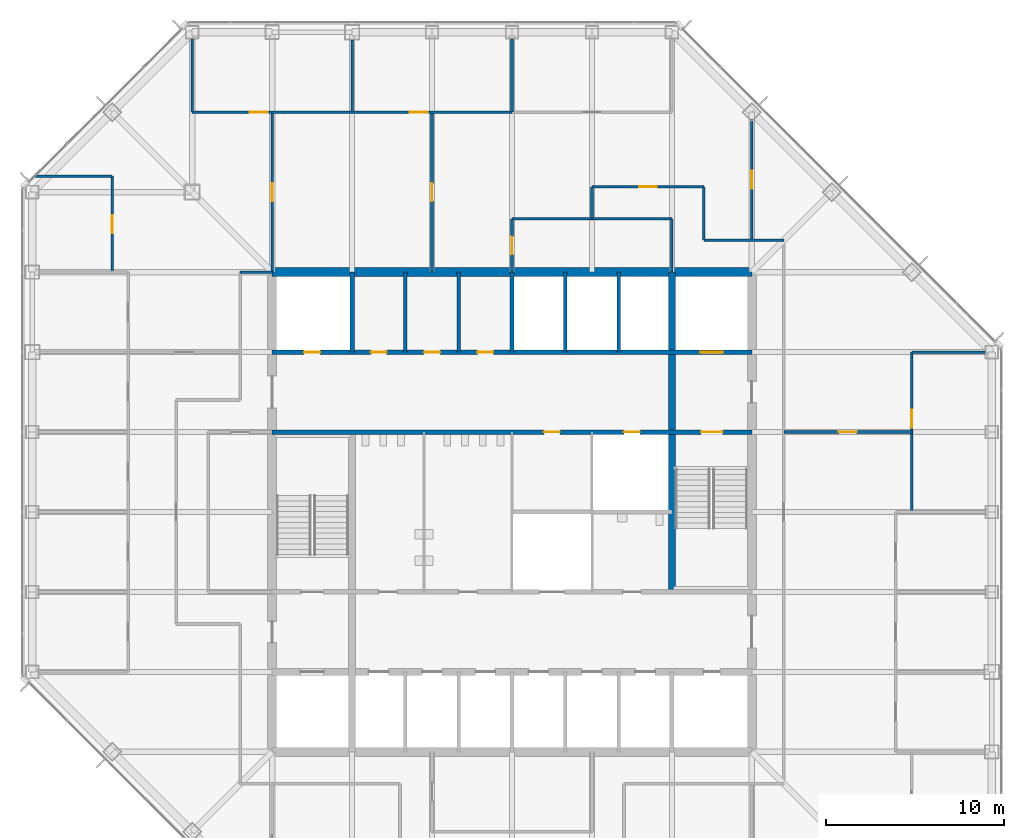
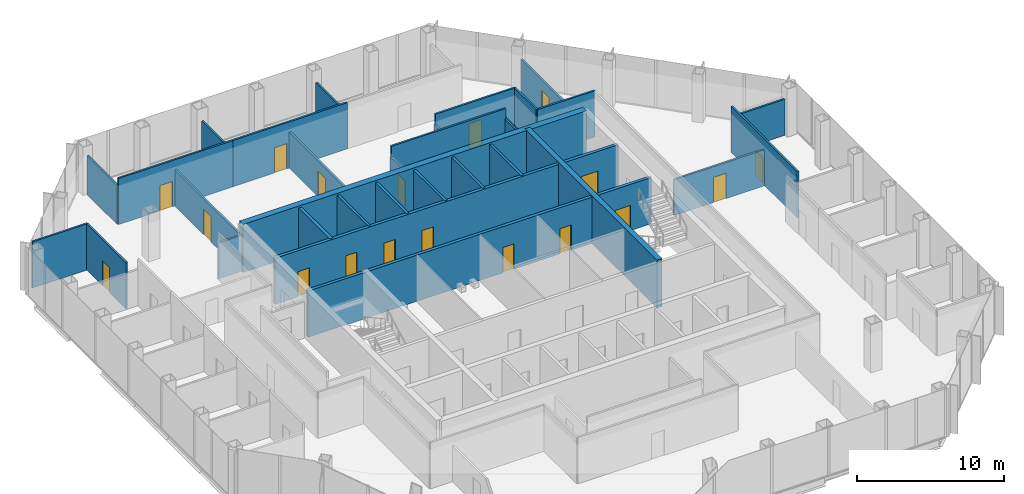
# One storey, part 10 of 13: 31 walls, 18 doors, 18 openings.
"""IFC4 building model written with IfcOpenShell, lengths in metres."""

from ifc_helpers import new_model, si_unit, direction, frame, frame_2d, origin, place, context, subcontext, project, spatial, rectangle, extrude, material, layer, layer_set, type_object, element, fill, save


model = new_model("IFC4")

# Units and contexts
model_context = context("Model", 3, precision=1e-05, world=origin(), true_north=direction((0.0, 1.0)))
body_context = subcontext(model_context, "Body", "Model", "MODEL_VIEW")
ifc_project = project(units=[si_unit("LENGTHUNIT", "METRE"), si_unit("AREAUNIT", "SQUARE_METRE"), si_unit("VOLUMEUNIT", "CUBIC_METRE"), si_unit("PLANEANGLEUNIT", "RADIAN"), si_unit("MASSUNIT", "GRAM", prefix="KILO")], contexts=[model_context])

# Site, building, storey
site_placement = place(None, origin())
site = spatial("IfcSite", under=ifc_project, at=site_placement, CompositionType="ELEMENT")
building_placement = place(site_placement, origin())
building = spatial("IfcBuilding", under=site, at=building_placement, Name="Corais Broadcast Tower", CompositionType="ELEMENT")
storey_placement = place(building_placement, frame((0.0, 0.0, 191.60009765625)))
storey = spatial("IfcBuildingStorey", under=building, at=storey_placement, Name="L44", CompositionType="ELEMENT", Elevation=191.60009765625)

# Wall
ifc_material_1 = material(Name="Concrete blockwork class A, grouted, two-hour", Category="masonry")
ifc_layer_1 = layer(ifc_material_1, 0.25)
ifc_layer_set_1 = layer_set([ifc_layer_1], Name="Concrete blockwork class A, grouted, two-hour")
wall_type_1 = type_object("IfcWallType", Name="Core lobby wall 250", PredefinedType="SOLIDWALL", material=ifc_layer_set_1)
wall_1_placement = place(storey_placement, frame((18.0, 36.0, 0.0), z_axis=(0.0, 0.0, 1.0), x_axis=(0.0, 1.0, 0.0)))
element("IfcWall", 1, at=wall_1_placement, inside=storey, type_object=wall_type_1, Name="CL2 core shaft wall X18B L44", PredefinedType="SOLIDWALL", context=body_context, shape_type="SweptSolid", body=[
    extrude(rectangle(XDim=4.5, YDim=0.25, at=frame_2d((2.25, 0.0))), origin(), (0.0, 0.0, 1.0), 3.83984375),
])

# Wall, openings, doors
wall_2_placement = place(storey_placement, frame((13.5, 31.5, 0.0), z_axis=(0.0, 0.0, 1.0), x_axis=(1.0, 0.0, 0.0)))
wall_2 = element("IfcWall", 2, at=wall_2_placement, inside=storey, type_object=wall_type_1, Name="CL2 core lobby wall Y315 L44", PredefinedType="SOLIDWALL", context=body_context, shape_type="SweptSolid", body=[
    extrude(rectangle(XDim=27.0, YDim=0.25, at=frame_2d((13.5, 0.0))), origin(), (0.0, 0.0, 1.0), 3.83984375),
])
opening_1_placement = place(wall_2_placement, frame((24.14990234375, 0.0, 0.0)))
opening_1 = element("IfcOpeningElement", 3, at=opening_1_placement, cuts=wall_2, Name="Opening FD1", PredefinedType="OPENING", context=body_context, shape_type="SweptSolid", body=[
    extrude(rectangle(XDim=1.199951171875, YDim=2.10009765625, at=frame_2d((0.60009765625, 1.050048828125))), frame((0.0, 0.135009765625, 0.0), z_axis=(0.0, -1.0, 0.0), x_axis=(1.0, 0.0, 0.0)), (0.0, 0.0, 1.0), 0.27001953125),
])
opening_2_placement = place(wall_2_placement, frame((15.300048828125, 0.0, 0.0)))
opening_2 = element("IfcOpeningElement", 4, at=opening_2_placement, cuts=wall_2, Name="Opening RD1", PredefinedType="OPENING", context=body_context, shape_type="SweptSolid", body=[
    extrude(rectangle(XDim=0.89990234375, YDim=2.10009765625, at=frame_2d((0.449951171875, 1.050048828125))), frame((0.0, 0.135009765625, 0.0), z_axis=(0.0, -1.0, 0.0), x_axis=(1.0, 0.0, 0.0)), (0.0, 0.0, 1.0), 0.27001953125),
])
opening_3_placement = place(wall_2_placement, frame((19.800048828125, 0.0, 0.0)))
opening_3 = element("IfcOpeningElement", 5, at=opening_3_placement, cuts=wall_2, Name="Opening RD1", PredefinedType="OPENING", context=body_context, shape_type="SweptSolid", body=[
    extrude(rectangle(XDim=0.89990234375, YDim=2.10009765625, at=frame_2d((0.449951171875, 1.050048828125))), frame((0.0, 0.135009765625, 0.0), z_axis=(0.0, -1.0, 0.0), x_axis=(1.0, 0.0, 0.0)), (0.0, 0.0, 1.0), 0.27001953125),
])
ifc_material_2 = material(Name="Steel fire door", Category="steel")
door_type_1 = type_object("IfcDoorType", Name="Fire door 1200x2100", OperationType="SINGLE_SWING_LEFT", PredefinedType="DOOR", material=ifc_material_2)
door_1_placement = place(opening_1_placement, origin())
door_1 = element("IfcDoor", 6, at=door_1_placement, inside=storey, type_object=door_type_1, Name="FD1 stair B door L44", OperationType="SINGLE_SWING_RIGHT", OverallHeight=2.10009765625, OverallWidth=1.199951171875, PredefinedType="DOOR", context=body_context, shape_type="SweptSolid", body=[
    extrude(rectangle(XDim=1.199951171875, YDim=2.10009765625, at=frame_2d((0.60009765625, 1.050048828125))), frame((0.0, 0.02490234375, 0.0), z_axis=(0.0, -1.0, 0.0), x_axis=(1.0, 0.0, 0.0)), (0.0, 0.0, 1.0), 0.050048828125),
])
fill(opening_1, door_1)
ifc_material_3 = material(Name="Steel fire door", Category="steel")
door_type_2 = type_object("IfcDoorType", Name="Riser door 900x2100", OperationType="SINGLE_SWING_LEFT", PredefinedType="DOOR", material=ifc_material_3)
door_2_placement = place(opening_2_placement, origin())
door_2 = element("IfcDoor", 7, at=door_2_placement, inside=storey, type_object=door_type_2, Name="RD1 vending room door L44", OperationType="SINGLE_SWING_RIGHT", OverallHeight=2.10009765625, OverallWidth=0.89990234375, PredefinedType="DOOR", context=body_context, shape_type="SweptSolid", body=[
    extrude(rectangle(XDim=0.89990234375, YDim=2.10009765625, at=frame_2d((0.449951171875, 1.050048828125))), frame((0.0, 0.02490234375, 0.0), z_axis=(0.0, -1.0, 0.0), x_axis=(1.0, 0.0, 0.0)), (0.0, 0.0, 1.0), 0.050048828125),
])
fill(opening_2, door_2)
door_3_placement = place(opening_3_placement, origin())
door_3 = element("IfcDoor", 8, at=door_3_placement, inside=storey, type_object=door_type_2, Name="RD1 riser door L44", OperationType="SINGLE_SWING_RIGHT", OverallHeight=2.10009765625, OverallWidth=0.89990234375, PredefinedType="DOOR", context=body_context, shape_type="SweptSolid", body=[
    extrude(rectangle(XDim=0.89990234375, YDim=2.10009765625, at=frame_2d((0.449951171875, 1.050048828125))), frame((0.0, 0.02490234375, 0.0), z_axis=(0.0, -1.0, 0.0), x_axis=(1.0, 0.0, 0.0)), (0.0, 0.0, 1.0), 0.050048828125),
])
fill(opening_3, door_3)

# Walls
ifc_material_4 = material(Name="Concrete C50/60", Category="concrete")
ifc_layer_2 = layer(ifc_material_4, 0.39990234375)
ifc_layer_set_2 = layer_set([ifc_layer_2], Name="Concrete C50/60")
wall_type_2 = type_object("IfcWallType", Name="Core wall 400", PredefinedType="SHEAR", material=ifc_layer_set_2)
wall_3_placement = place(storey_placement, frame((36.0, 22.5, 0.0), z_axis=(0.0, 0.0, 1.0), x_axis=(0.0, 1.0, 0.0)))
element("IfcWall", 9, at=wall_3_placement, inside=storey, type_object=wall_type_2, Name="CR400 core wall X36B L44", PredefinedType="SHEAR", context=body_context, shape_type="SweptSolid", body=[
    extrude(rectangle(XDim=18.0, YDim=0.39990234375, at=frame_2d((9.0, 0.0))), origin(), (0.0, 0.0, 1.0), 4.0),
])
ifc_material_5 = material(Name="Concrete C50/60", Category="concrete")
ifc_layer_3 = layer(ifc_material_5, 0.5)
ifc_layer_set_3 = layer_set([ifc_layer_3], Name="Concrete C50/60")
wall_type_3 = type_object("IfcWallType", Name="Core wall 500", PredefinedType="SHEAR", material=ifc_layer_set_3)
wall_4_placement = place(storey_placement, frame((40.5, 40.5, 0.0), z_axis=(0.0, 0.0, 1.0), x_axis=(-1.0, 0.0, 0.0)))
element("IfcWall", 10, at=wall_4_placement, inside=storey, type_object=wall_type_3, Name="CR500 core wall N L44", PredefinedType="SHEAR", context=body_context, shape_type="SweptSolid", body=[
    extrude(rectangle(XDim=27.0, YDim=0.5, at=frame_2d((13.5, 0.0))), origin(), (0.0, 0.0, 1.0), 4.0),
])

# Wall, openings, doors
ifc_material_6 = material(Name="Concrete blockwork class A, grouted, four-hour", Category="masonry")
ifc_layer_4 = layer(ifc_material_6, 0.25)
ifc_layer_set_4 = layer_set([ifc_layer_4], Name="Concrete blockwork class A, grouted, four-hour")
wall_type_4 = type_object("IfcWallType", Name="Emergency lift shaft wall 250", PredefinedType="SOLIDWALL", material=ifc_layer_set_4)
wall_5_placement = place(storey_placement, frame((13.5, 36.0, 0.0), z_axis=(0.0, 0.0, 1.0), x_axis=(1.0, 0.0, 0.0)))
wall_5 = element("IfcWall", 11, at=wall_5_placement, inside=storey, type_object=wall_type_4, Name="LS2 core lobby wall Y36 L44", PredefinedType="SOLIDWALL", context=body_context, shape_type="SweptSolid", body=[
    extrude(rectangle(XDim=27.0, YDim=0.25, at=frame_2d((13.5, 0.0))), origin(), (0.0, 0.0, 1.0), 3.83984375),
])
opening_4_placement = place(wall_5_placement, frame((1.800048828125, 0.0, 0.0)))
opening_4 = element("IfcOpeningElement", 12, at=opening_4_placement, cuts=wall_5, Name="Opening RD1", PredefinedType="OPENING", context=body_context, shape_type="SweptSolid", body=[
    extrude(rectangle(XDim=0.89990234375, YDim=2.10009765625, at=frame_2d((0.449951171875, 1.050048828125))), frame((0.0, 0.135009765625, 0.0), z_axis=(0.0, -1.0, 0.0), x_axis=(1.0, 0.0, 0.0)), (0.0, 0.0, 1.0), 0.27001953125),
])
opening_5_placement = place(wall_5_placement, frame((5.550048828125, 0.0, 0.0)))
opening_5 = element("IfcOpeningElement", 13, at=opening_5_placement, cuts=wall_5, Name="Opening RD1", PredefinedType="OPENING", context=body_context, shape_type="SweptSolid", body=[
    extrude(rectangle(XDim=0.89990234375, YDim=2.10009765625, at=frame_2d((0.449951171875, 1.050048828125))), frame((0.0, 0.135009765625, 0.0), z_axis=(0.0, -1.0, 0.0), x_axis=(1.0, 0.0, 0.0)), (0.0, 0.0, 1.0), 0.27001953125),
])
opening_6_placement = place(wall_5_placement, frame((8.550048828125, 0.0, 0.0)))
opening_6 = element("IfcOpeningElement", 14, at=opening_6_placement, cuts=wall_5, Name="Opening RD1", PredefinedType="OPENING", context=body_context, shape_type="SweptSolid", body=[
    extrude(rectangle(XDim=0.89990234375, YDim=2.10009765625, at=frame_2d((0.449951171875, 1.050048828125))), frame((0.0, 0.135009765625, 0.0), z_axis=(0.0, -1.0, 0.0), x_axis=(1.0, 0.0, 0.0)), (0.0, 0.0, 1.0), 0.27001953125),
])
opening_7_placement = place(wall_5_placement, frame((11.550048828125, 0.0, 0.0)))
opening_7 = element("IfcOpeningElement", 15, at=opening_7_placement, cuts=wall_5, Name="Opening RD1", PredefinedType="OPENING", context=body_context, shape_type="SweptSolid", body=[
    extrude(rectangle(XDim=0.89990234375, YDim=2.10009765625, at=frame_2d((0.449951171875, 1.050048828125))), frame((0.0, 0.135009765625, 0.0), z_axis=(0.0, -1.0, 0.0), x_axis=(1.0, 0.0, 0.0)), (0.0, 0.0, 1.0), 0.27001953125),
])
opening_8_placement = place(wall_5_placement, frame((24.10009765625, 0.0, 0.0)))
opening_8 = element("IfcOpeningElement", 16, at=opening_8_placement, cuts=wall_5, Name="Opening LD2", PredefinedType="OPENING", context=body_context, shape_type="SweptSolid", body=[
    extrude(rectangle(XDim=1.300048828125, YDim=2.199951171875, at=frame_2d((0.64990234375, 1.10009765625))), frame((0.0, 0.135009765625, 0.0), z_axis=(0.0, -1.0, 0.0), x_axis=(1.0, 0.0, 0.0)), (0.0, 0.0, 1.0), 0.27001953125),
])
ifc_material_7 = material(Name="Stainless steel lift door", Category="steel")
door_type_3 = type_object("IfcDoorType", Name="Lift landing door 1300x2200", OperationType="SLIDING_TO_LEFT", PredefinedType="DOOR", material=ifc_material_7)
door_4_placement = place(opening_8_placement, origin())
door_4 = element("IfcDoor", 17, at=door_4_placement, inside=storey, type_object=door_type_3, Name="LD2 FL2 landing door L44", OperationType="SLIDING_TO_LEFT", OverallHeight=2.199951171875, OverallWidth=1.300048828125, PredefinedType="DOOR", context=body_context, shape_type="SweptSolid", body=[
    extrude(rectangle(XDim=1.300048828125, YDim=2.199951171875, at=frame_2d((0.64990234375, 1.10009765625))), frame((0.0, 0.02490234375, 0.0), z_axis=(0.0, -1.0, 0.0), x_axis=(1.0, 0.0, 0.0)), (0.0, 0.0, 1.0), 0.050048828125),
])
fill(opening_8, door_4)
door_5_placement = place(opening_4_placement, origin())
door_5 = element("IfcDoor", 18, at=door_5_placement, inside=storey, type_object=door_type_2, Name="RD1 riser door L44", OperationType="SINGLE_SWING_LEFT", OverallHeight=2.10009765625, OverallWidth=0.89990234375, PredefinedType="DOOR", context=body_context, shape_type="SweptSolid", body=[
    extrude(rectangle(XDim=0.89990234375, YDim=2.10009765625, at=frame_2d((0.449951171875, 1.050048828125))), frame((0.0, 0.02490234375, 0.0), z_axis=(0.0, -1.0, 0.0), x_axis=(1.0, 0.0, 0.0)), (0.0, 0.0, 1.0), 0.050048828125),
])
fill(opening_4, door_5)
door_6_placement = place(opening_5_placement, origin())
door_6 = element("IfcDoor", 19, at=door_6_placement, inside=storey, type_object=door_type_2, Name="RD1 stationery store door L44", OperationType="SINGLE_SWING_LEFT", OverallHeight=2.10009765625, OverallWidth=0.89990234375, PredefinedType="DOOR", context=body_context, shape_type="SweptSolid", body=[
    extrude(rectangle(XDim=0.89990234375, YDim=2.10009765625, at=frame_2d((0.449951171875, 1.050048828125))), frame((0.0, 0.02490234375, 0.0), z_axis=(0.0, -1.0, 0.0), x_axis=(1.0, 0.0, 0.0)), (0.0, 0.0, 1.0), 0.050048828125),
])
fill(opening_5, door_6)
door_7_placement = place(opening_6_placement, origin())
door_7 = element("IfcDoor", 20, at=door_7_placement, inside=storey, type_object=door_type_2, Name="RD1 av equipment room door L44", OperationType="SINGLE_SWING_LEFT", OverallHeight=2.10009765625, OverallWidth=0.89990234375, PredefinedType="DOOR", context=body_context, shape_type="SweptSolid", body=[
    extrude(rectangle(XDim=0.89990234375, YDim=2.10009765625, at=frame_2d((0.449951171875, 1.050048828125))), frame((0.0, 0.02490234375, 0.0), z_axis=(0.0, -1.0, 0.0), x_axis=(1.0, 0.0, 0.0)), (0.0, 0.0, 1.0), 0.050048828125),
])
fill(opening_6, door_7)
door_8_placement = place(opening_7_placement, origin())
door_8 = element("IfcDoor", 21, at=door_8_placement, inside=storey, type_object=door_type_2, Name="RD1 media store door L44", OperationType="SINGLE_SWING_LEFT", OverallHeight=2.10009765625, OverallWidth=0.89990234375, PredefinedType="DOOR", context=body_context, shape_type="SweptSolid", body=[
    extrude(rectangle(XDim=0.89990234375, YDim=2.10009765625, at=frame_2d((0.449951171875, 1.050048828125))), frame((0.0, 0.02490234375, 0.0), z_axis=(0.0, -1.0, 0.0), x_axis=(1.0, 0.0, 0.0)), (0.0, 0.0, 1.0), 0.050048828125),
])
fill(opening_7, door_8)

# Wall, opening, door
ifc_material_8 = material(Name="Gypsum board on steel studs", Category="steel")
ifc_layer_5 = layer(ifc_material_8, 0.14990234375)
ifc_layer_set_5 = layer_set([ifc_layer_5], Name="Gypsum board on steel studs")
wall_type_5 = type_object("IfcWallType", Name="Partition 150", PredefinedType="PARTITIONING", material=ifc_layer_set_5)
wall_6_placement = place(storey_placement, frame((37.800048828125, 45.300048828125, 0.0), z_axis=(0.0, 0.0, 1.0), x_axis=(-1.0, 0.0, 0.0)))
wall_6 = element("IfcWall", 22, at=wall_6_placement, inside=storey, type_object=wall_type_5, Name="IW3 corridor wall L44", PredefinedType="PARTITIONING", context=body_context, shape_type="SweptSolid", body=[
    extrude(rectangle(XDim=6.300048828125, YDim=0.14990234375, at=frame_2d((3.14990234375, 0.0))), origin(), (0.0, 0.0, 1.0), 3.83984375),
])
opening_9_placement = place(wall_6_placement, frame((2.64990234375, 0.0, 0.0)))
opening_9 = element("IfcOpeningElement", 23, at=opening_9_placement, cuts=wall_6, Name="Opening D1", PredefinedType="OPENING", context=body_context, shape_type="SweptSolid", body=[
    extrude(rectangle(XDim=1.0, YDim=2.10009765625, at=frame_2d((0.5, 1.050048828125))), frame((0.0, 0.0849609375, 0.0), z_axis=(0.0, -1.0, 0.0), x_axis=(1.0, 0.0, 0.0)), (0.0, 0.0, 1.0), 0.169921875),
])
ifc_material_9 = material(Name="Timber door", Category="wood")
door_type_4 = type_object("IfcDoorType", Name="Single door 1000x2100", OperationType="SINGLE_SWING_LEFT", PredefinedType="DOOR", material=ifc_material_9)
door_9_placement = place(opening_9_placement, origin())
door_9 = element("IfcDoor", 24, at=door_9_placement, inside=storey, type_object=door_type_4, Name="D1 workplace door L44", OperationType="SINGLE_SWING_LEFT", OverallHeight=2.10009765625, OverallWidth=1.0, PredefinedType="DOOR", context=body_context, shape_type="SweptSolid", body=[
    extrude(rectangle(XDim=1.0, YDim=2.10009765625, at=frame_2d((0.5, 1.050048828125))), frame((0.0, 0.02490234375, 0.0), z_axis=(0.0, -1.0, 0.0), x_axis=(1.0, 0.0, 0.0)), (0.0, 0.0, 1.0), 0.050048828125),
])
fill(opening_9, door_9)

# Walls
wall_7_placement = place(storey_placement, frame((42.300048828125, 42.300048828125, 0.0), z_axis=(0.0, 0.0, 1.0), x_axis=(-1.0, 0.0, 0.0)))
element("IfcWall", 25, at=wall_7_placement, inside=storey, type_object=wall_type_5, Name="IW3 corridor wall L44", PredefinedType="PARTITIONING", context=body_context, shape_type="SweptSolid", body=[
    extrude(rectangle(XDim=4.5, YDim=0.14990234375, at=frame_2d((2.25, 0.0))), origin(), (0.0, 0.0, 1.0), 3.83984375),
])
wall_8_placement = place(storey_placement, frame((37.800048828125, 42.300048828125, 0.0), z_axis=(0.0, 0.0, 1.0), x_axis=(0.0, 1.0, 0.0)))
element("IfcWall", 26, at=wall_8_placement, inside=storey, type_object=wall_type_5, Name="IW3 corridor wall L44", PredefinedType="PARTITIONING", context=body_context, shape_type="SweptSolid", body=[
    extrude(rectangle(XDim=3.0, YDim=0.14990234375, at=frame_2d((1.5, 0.0))), origin(), (0.0, 0.0, 1.0), 3.83984375),
])
wall_9_placement = place(storey_placement, frame((13.510009765625, 40.5, 0.0), z_axis=(0.0, 0.0, 1.0), x_axis=(-1.0, 0.0, 0.0)))
element("IfcWall", 27, at=wall_9_placement, inside=storey, type_object=wall_type_5, Name="IW3 corridor wall L44", PredefinedType="PARTITIONING", context=body_context, shape_type="SweptSolid", body=[
    extrude(rectangle(XDim=1.81005859375, YDim=0.14990234375, at=frame_2d((0.905029296875, 0.0))), origin(), (0.0, 0.0, 1.0), 2.989013671875),
])
wall_10_placement = place(storey_placement, frame((31.5, 45.300048828125, 0.0), z_axis=(0.0, 0.0, 1.0), x_axis=(0.0, -1.0, 0.0)))
element("IfcWall", 28, at=wall_10_placement, inside=storey, type_object=wall_type_5, Name="IW3 corridor wall L44", PredefinedType="PARTITIONING", context=body_context, shape_type="SweptSolid", body=[
    extrude(rectangle(XDim=1.800048828125, YDim=0.14990234375, at=frame_2d((0.89990234375, 0.0))), origin(), (0.0, 0.0, 1.0), 2.989013671875),
])
wall_11_placement = place(storey_placement, frame((53.614990234375, 36.0, 0.0), z_axis=(0.0, 0.0, 1.0), x_axis=(-1.0, 0.0, 0.0)))
element("IfcWall", 29, at=wall_11_placement, inside=storey, type_object=wall_type_5, Name="IW3 partition L44", PredefinedType="PARTITIONING", context=body_context, shape_type="SweptSolid", body=[
    extrude(rectangle(XDim=4.114990234375, YDim=0.14990234375, at=frame_2d((2.0576171875, 0.0))), origin(), (0.0, 0.0, 1.0), 2.989013671875),
])

# Wall, opening, door
wall_12_placement = place(storey_placement, frame((49.5, 36.0, 0.0), z_axis=(0.0, 0.0, 1.0), x_axis=(0.0, -1.0, 0.0)))
wall_12 = element("IfcWall", 30, at=wall_12_placement, inside=storey, type_object=wall_type_5, Name="IW3 partition L44", PredefinedType="PARTITIONING", context=body_context, shape_type="SweptSolid", body=[
    extrude(rectangle(XDim=9.0, YDim=0.14990234375, at=frame_2d((4.5, 0.0))), origin(), (0.0, 0.0, 1.0), 3.83984375),
])
opening_10_placement = place(wall_12_placement, frame((3.25, 0.0, 0.0)))
opening_10 = element("IfcOpeningElement", 31, at=opening_10_placement, cuts=wall_12, Name="Opening D1", PredefinedType="OPENING", context=body_context, shape_type="SweptSolid", body=[
    extrude(rectangle(XDim=1.0, YDim=2.10009765625, at=frame_2d((0.5, 1.050048828125))), frame((0.0, 0.0849609375, 0.0), z_axis=(0.0, -1.0, 0.0), x_axis=(1.0, 0.0, 0.0)), (0.0, 0.0, 1.0), 0.169921875),
])
door_10_placement = place(opening_10_placement, origin())
door_10 = element("IfcDoor", 32, at=door_10_placement, inside=storey, type_object=door_type_4, Name="D1 First aid room door", OperationType="SINGLE_SWING_LEFT", OverallHeight=2.10009765625, OverallWidth=1.0, PredefinedType="DOOR", context=body_context, shape_type="SweptSolid", body=[
    extrude(rectangle(XDim=1.0, YDim=2.10009765625, at=frame_2d((0.5, 1.050048828125))), frame((0.0, 0.02490234375, 0.0), z_axis=(0.0, -1.0, 0.0), x_axis=(1.0, 0.0, 0.0)), (0.0, 0.0, 1.0), 0.050048828125),
])
fill(opening_10, door_10)

# Walls
wall_13_placement = place(storey_placement, frame((36.0, 40.5, 0.0), z_axis=(0.0, 0.0, 1.0), x_axis=(0.0, 1.0, 0.0)))
element("IfcWall", 33, at=wall_13_placement, inside=storey, type_object=wall_type_5, Name="IW3 partition L44", PredefinedType="PARTITIONING", context=body_context, shape_type="SweptSolid", body=[
    extrude(rectangle(XDim=3.0, YDim=0.14990234375, at=frame_2d((1.5, 0.0))), origin(), (0.0, 0.0, 1.0), 2.989013671875),
])
wall_14_placement = place(storey_placement, frame((36.0, 43.5, 0.0), z_axis=(0.0, 0.0, 1.0), x_axis=(-1.0, 0.0, 0.0)))
element("IfcWall", 34, at=wall_14_placement, inside=storey, type_object=wall_type_5, Name="IW3 partition L44", PredefinedType="PARTITIONING", context=body_context, shape_type="SweptSolid", body=[
    extrude(rectangle(XDim=9.0, YDim=0.14990234375, at=frame_2d((4.5, 0.0))), origin(), (0.0, 0.0, 1.0), 3.83984375),
])

# Wall, opening, door
wall_15_placement = place(storey_placement, frame((27.0, 43.5, 0.0), z_axis=(0.0, 0.0, 1.0), x_axis=(0.0, -1.0, 0.0)))
wall_15 = element("IfcWall", 35, at=wall_15_placement, inside=storey, type_object=wall_type_5, Name="IW3 partition L44", PredefinedType="PARTITIONING", context=body_context, shape_type="SweptSolid", body=[
    extrude(rectangle(XDim=3.0, YDim=0.14990234375, at=frame_2d((1.5, 0.0))), origin(), (0.0, 0.0, 1.0), 2.989013671875),
])
opening_11_placement = place(wall_15_placement, frame((1.0, 0.0, 0.0)))
opening_11 = element("IfcOpeningElement", 36, at=opening_11_placement, cuts=wall_15, Name="Opening D1", PredefinedType="OPENING", context=body_context, shape_type="SweptSolid", body=[
    extrude(rectangle(XDim=1.0, YDim=2.10009765625, at=frame_2d((0.5, 1.050048828125))), frame((0.0, 0.0849609375, 0.0), z_axis=(0.0, -1.0, 0.0), x_axis=(1.0, 0.0, 0.0)), (0.0, 0.0, 1.0), 0.169921875),
])
door_11_placement = place(opening_11_placement, origin())
door_11 = element("IfcDoor", 37, at=door_11_placement, inside=storey, type_object=door_type_4, Name="D1 Prayer and quiet room door", OperationType="SINGLE_SWING_LEFT", OverallHeight=2.10009765625, OverallWidth=1.0, PredefinedType="DOOR", context=body_context, shape_type="SweptSolid", body=[
    extrude(rectangle(XDim=1.0, YDim=2.10009765625, at=frame_2d((0.5, 1.050048828125))), frame((0.0, 0.02490234375, 0.0), z_axis=(0.0, -1.0, 0.0), x_axis=(1.0, 0.0, 0.0)), (0.0, 0.0, 1.0), 0.050048828125),
])
fill(opening_11, door_11)

wall_16_placement = place(storey_placement, frame((4.5, 40.5, 0.0), z_axis=(0.0, 0.0, 1.0), x_axis=(0.0, 1.0, 0.0)))
wall_16 = element("IfcWall", 38, at=wall_16_placement, inside=storey, type_object=wall_type_5, Name="IW3 partition L44", PredefinedType="PARTITIONING", context=body_context, shape_type="SweptSolid", body=[
    extrude(rectangle(XDim=5.39990234375, YDim=0.14990234375, at=frame_2d((2.699951171875, 0.0))), origin(), (0.0, 0.0, 1.0), 3.83984375),
])
opening_12_placement = place(wall_16_placement, frame((2.199951171875, 0.0, 0.0)))
opening_12 = element("IfcOpeningElement", 39, at=opening_12_placement, cuts=wall_16, Name="Opening D1", PredefinedType="OPENING", context=body_context, shape_type="SweptSolid", body=[
    extrude(rectangle(XDim=1.0, YDim=2.10009765625, at=frame_2d((0.5, 1.050048828125))), frame((0.0, 0.0849609375, 0.0), z_axis=(0.0, -1.0, 0.0), x_axis=(1.0, 0.0, 0.0)), (0.0, 0.0, 1.0), 0.169921875),
])
door_12_placement = place(opening_12_placement, origin())
door_12 = element("IfcDoor", 40, at=door_12_placement, inside=storey, type_object=door_type_4, Name="D1 Treatment room door", OperationType="SINGLE_SWING_LEFT", OverallHeight=2.10009765625, OverallWidth=1.0, PredefinedType="DOOR", context=body_context, shape_type="SweptSolid", body=[
    extrude(rectangle(XDim=1.0, YDim=2.10009765625, at=frame_2d((0.5, 1.050048828125))), frame((0.0, 0.02490234375, 0.0), z_axis=(0.0, -1.0, 0.0), x_axis=(1.0, 0.0, 0.0)), (0.0, 0.0, 1.0), 0.050048828125),
])
fill(opening_12, door_12)

# Wall
wall_17_placement = place(storey_placement, frame((4.5, 45.89990234375, 0.0), z_axis=(0.0, 0.0, 1.0), x_axis=(-1.0, 0.0, 0.0)))
element("IfcWall", 41, at=wall_17_placement, inside=storey, type_object=wall_type_5, Name="IW3 partition L44", PredefinedType="PARTITIONING", context=body_context, shape_type="SweptSolid", body=[
    extrude(rectangle(XDim=4.33544921875, YDim=0.14990234375, at=frame_2d((2.167724609375, 0.0))), origin(), (0.0, 0.0, 1.0), 3.83984375),
])

# Wall, opening, door
wall_18_placement = place(storey_placement, frame((9.0, 49.5, 0.0), z_axis=(0.0, 0.0, 1.0), x_axis=(1.0, 0.0, 0.0)))
wall_18 = element("IfcWall", 42, at=wall_18_placement, inside=storey, type_object=wall_type_5, Name="IW3 partition L44", PredefinedType="PARTITIONING", context=body_context, shape_type="SweptSolid", body=[
    extrude(rectangle(XDim=9.0, YDim=0.14990234375, at=frame_2d((4.5, 0.0))), origin(), (0.0, 0.0, 1.0), 3.83984375),
])
opening_13_placement = place(wall_18_placement, frame((3.25, 0.0, 0.0)))
opening_13 = element("IfcOpeningElement", 43, at=opening_13_placement, cuts=wall_18, Name="Opening D1", PredefinedType="OPENING", context=body_context, shape_type="SweptSolid", body=[
    extrude(rectangle(XDim=1.0, YDim=2.10009765625, at=frame_2d((0.5, 1.050048828125))), frame((0.0, 0.0849609375, 0.0), z_axis=(0.0, -1.0, 0.0), x_axis=(1.0, 0.0, 0.0)), (0.0, 0.0, 1.0), 0.169921875),
])
door_13_placement = place(opening_13_placement, origin())
door_13 = element("IfcDoor", 44, at=door_13_placement, inside=storey, type_object=door_type_4, Name="D1 People services office door", OperationType="SINGLE_SWING_LEFT", OverallHeight=2.10009765625, OverallWidth=1.0, PredefinedType="DOOR", context=body_context, shape_type="SweptSolid", body=[
    extrude(rectangle(XDim=1.0, YDim=2.10009765625, at=frame_2d((0.5, 1.050048828125))), frame((0.0, 0.02490234375, 0.0), z_axis=(0.0, -1.0, 0.0), x_axis=(1.0, 0.0, 0.0)), (0.0, 0.0, 1.0), 0.050048828125),
])
fill(opening_13, door_13)

# Walls
wall_19_placement = place(storey_placement, frame((18.0, 49.5, 0.0), z_axis=(0.0, 0.0, 1.0), x_axis=(0.0, 1.0, 0.0)))
element("IfcWall", 45, at=wall_19_placement, inside=storey, type_object=wall_type_5, Name="IW3 partition L44", PredefinedType="PARTITIONING", context=body_context, shape_type="SweptSolid", body=[
    extrude(rectangle(XDim=4.06494140625, YDim=0.14990234375, at=frame_2d((2.032470703125, 0.0))), origin(), (0.0, 0.0, 1.0), 2.989013671875),
])
wall_20_placement = place(storey_placement, frame((9.0, 53.614990234375, 0.0), z_axis=(0.0, 0.0, 1.0), x_axis=(0.0, -1.0, 0.0)))
element("IfcWall", 46, at=wall_20_placement, inside=storey, type_object=wall_type_5, Name="IW3 partition L44", PredefinedType="PARTITIONING", context=body_context, shape_type="SweptSolid", body=[
    extrude(rectangle(XDim=4.114990234375, YDim=0.14990234375, at=frame_2d((2.0576171875, 0.0))), origin(), (0.0, 0.0, 1.0), 3.22900390625),
])

# Wall, opening, door
wall_21_placement = place(storey_placement, frame((18.0, 49.5, 0.0), z_axis=(0.0, 0.0, 1.0), x_axis=(1.0, 0.0, 0.0)))
wall_21 = element("IfcWall", 47, at=wall_21_placement, inside=storey, type_object=wall_type_5, Name="IW3 partition L44", PredefinedType="PARTITIONING", context=body_context, shape_type="SweptSolid", body=[
    extrude(rectangle(XDim=9.0, YDim=0.14990234375, at=frame_2d((4.5, 0.0))), origin(), (0.0, 0.0, 1.0), 3.83984375),
])
opening_14_placement = place(wall_21_placement, frame((3.25, 0.0, 0.0)))
opening_14 = element("IfcOpeningElement", 48, at=opening_14_placement, cuts=wall_21, Name="Opening D1", PredefinedType="OPENING", context=body_context, shape_type="SweptSolid", body=[
    extrude(rectangle(XDim=1.0, YDim=2.10009765625, at=frame_2d((0.5, 1.050048828125))), frame((0.0, 0.0849609375, 0.0), z_axis=(0.0, -1.0, 0.0), x_axis=(1.0, 0.0, 0.0)), (0.0, 0.0, 1.0), 0.169921875),
])
door_14_placement = place(opening_14_placement, origin())
door_14 = element("IfcDoor", 49, at=door_14_placement, inside=storey, type_object=door_type_4, Name="D1 People services office door", OperationType="SINGLE_SWING_LEFT", OverallHeight=2.10009765625, OverallWidth=1.0, PredefinedType="DOOR", context=body_context, shape_type="SweptSolid", body=[
    extrude(rectangle(XDim=1.0, YDim=2.10009765625, at=frame_2d((0.5, 1.050048828125))), frame((0.0, 0.02490234375, 0.0), z_axis=(0.0, -1.0, 0.0), x_axis=(1.0, 0.0, 0.0)), (0.0, 0.0, 1.0), 0.050048828125),
])
fill(opening_14, door_14)

# Wall
wall_22_placement = place(storey_placement, frame((27.0, 49.5, 0.0), z_axis=(0.0, 0.0, 1.0), x_axis=(0.0, 1.0, 0.0)))
element("IfcWall", 50, at=wall_22_placement, inside=storey, type_object=wall_type_5, Name="IW3 partition L44", PredefinedType="PARTITIONING", context=body_context, shape_type="SweptSolid", body=[
    extrude(rectangle(XDim=4.114990234375, YDim=0.14990234375, at=frame_2d((2.0576171875, 0.0))), origin(), (0.0, 0.0, 1.0), 2.989013671875),
])

# Wall, opening, door
wall_23_placement = place(storey_placement, frame((22.5, 40.5, 0.0), z_axis=(0.0, 0.0, 1.0), x_axis=(0.0, 1.0, 0.0)))
wall_23 = element("IfcWall", 51, at=wall_23_placement, inside=storey, type_object=wall_type_5, Name="IW3 partition L44", PredefinedType="PARTITIONING", context=body_context, shape_type="SweptSolid", body=[
    extrude(rectangle(XDim=9.0, YDim=0.14990234375, at=frame_2d((4.5, 0.0))), origin(), (0.0, 0.0, 1.0), 2.989013671875),
])
opening_15_placement = place(wall_23_placement, frame((4.0, 0.0, 0.0)))
opening_15 = element("IfcOpeningElement", 52, at=opening_15_placement, cuts=wall_23, Name="Opening D1", PredefinedType="OPENING", context=body_context, shape_type="SweptSolid", body=[
    extrude(rectangle(XDim=1.0, YDim=2.10009765625, at=frame_2d((0.5, 1.050048828125))), frame((0.0, 0.0849609375, 0.0), z_axis=(0.0, -1.0, 0.0), x_axis=(1.0, 0.0, 0.0)), (0.0, 0.0, 1.0), 0.169921875),
])
door_15_placement = place(opening_15_placement, origin())
door_15 = element("IfcDoor", 53, at=door_15_placement, inside=storey, type_object=door_type_4, Name="D1 team room door L44", OperationType="SINGLE_SWING_LEFT", OverallHeight=2.10009765625, OverallWidth=1.0, PredefinedType="DOOR", context=body_context, shape_type="SweptSolid", body=[
    extrude(rectangle(XDim=1.0, YDim=2.10009765625, at=frame_2d((0.5, 1.050048828125))), frame((0.0, 0.02490234375, 0.0), z_axis=(0.0, -1.0, 0.0), x_axis=(1.0, 0.0, 0.0)), (0.0, 0.0, 1.0), 0.050048828125),
])
fill(opening_15, door_15)

wall_24_placement = place(storey_placement, frame((40.5, 49.10498046875, 0.0), z_axis=(0.0, 0.0, 1.0), x_axis=(0.0, -1.0, 0.0)))
wall_24 = element("IfcWall", 54, at=wall_24_placement, inside=storey, type_object=wall_type_5, Name="IW3 partition L44", PredefinedType="PARTITIONING", context=body_context, shape_type="SweptSolid", body=[
    extrude(rectangle(XDim=6.804931640625, YDim=0.14990234375, at=frame_2d((3.40234375, 0.0))), origin(), (0.0, 0.0, 1.0), 2.989013671875),
])
opening_16_placement = place(wall_24_placement, frame((2.902587890625, 0.0, 0.0)))
opening_16 = element("IfcOpeningElement", 55, at=opening_16_placement, cuts=wall_24, Name="Opening D1", PredefinedType="OPENING", context=body_context, shape_type="SweptSolid", body=[
    extrude(rectangle(XDim=1.0, YDim=2.10009765625, at=frame_2d((0.5, 1.050048828125))), frame((0.0, 0.0849609375, 0.0), z_axis=(0.0, -1.0, 0.0), x_axis=(1.0, 0.0, 0.0)), (0.0, 0.0, 1.0), 0.169921875),
])
door_16_placement = place(opening_16_placement, origin())
door_16 = element("IfcDoor", 56, at=door_16_placement, inside=storey, type_object=door_type_4, Name="D1 team room door L44", OperationType="SINGLE_SWING_LEFT", OverallHeight=2.10009765625, OverallWidth=1.0, PredefinedType="DOOR", context=body_context, shape_type="SweptSolid", body=[
    extrude(rectangle(XDim=1.0, YDim=2.10009765625, at=frame_2d((0.5, 1.050048828125))), frame((0.0, 0.02490234375, 0.0), z_axis=(0.0, -1.0, 0.0), x_axis=(1.0, 0.0, 0.0)), (0.0, 0.0, 1.0), 0.050048828125),
])
fill(opening_16, door_16)

wall_25_placement = place(storey_placement, frame((42.300048828125, 31.5, 0.0), z_axis=(0.0, 0.0, 1.0), x_axis=(1.0, 0.0, 0.0)))
wall_25 = element("IfcWall", 57, at=wall_25_placement, inside=storey, type_object=wall_type_5, Name="IW3 partition L44", PredefinedType="PARTITIONING", context=body_context, shape_type="SweptSolid", body=[
    extrude(rectangle(XDim=7.199951171875, YDim=0.14990234375, at=frame_2d((3.60009765625, 0.0))), origin(), (0.0, 0.0, 1.0), 2.989013671875),
])
opening_17_placement = place(wall_25_placement, frame((3.10009765625, 0.0, 0.0)))
opening_17 = element("IfcOpeningElement", 58, at=opening_17_placement, cuts=wall_25, Name="Opening D1", PredefinedType="OPENING", context=body_context, shape_type="SweptSolid", body=[
    extrude(rectangle(XDim=1.0, YDim=2.10009765625, at=frame_2d((0.5, 1.050048828125))), frame((0.0, 0.0849609375, 0.0), z_axis=(0.0, -1.0, 0.0), x_axis=(1.0, 0.0, 0.0)), (0.0, 0.0, 1.0), 0.169921875),
])
door_17_placement = place(opening_17_placement, origin())
door_17 = element("IfcDoor", 59, at=door_17_placement, inside=storey, type_object=door_type_4, Name="D1 team room door L44", OperationType="SINGLE_SWING_LEFT", OverallHeight=2.10009765625, OverallWidth=1.0, PredefinedType="DOOR", context=body_context, shape_type="SweptSolid", body=[
    extrude(rectangle(XDim=1.0, YDim=2.10009765625, at=frame_2d((0.5, 1.050048828125))), frame((0.0, 0.02490234375, 0.0), z_axis=(0.0, -1.0, 0.0), x_axis=(1.0, 0.0, 0.0)), (0.0, 0.0, 1.0), 0.050048828125),
])
fill(opening_17, door_17)

wall_26_placement = place(storey_placement, frame((13.5, 40.5, 0.0), z_axis=(0.0, 0.0, 1.0), x_axis=(0.0, 1.0, 0.0)))
wall_26 = element("IfcWall", 60, at=wall_26_placement, inside=storey, type_object=wall_type_5, Name="IW3 partition L44", PredefinedType="PARTITIONING", context=body_context, shape_type="SweptSolid", body=[
    extrude(rectangle(XDim=9.0, YDim=0.14990234375, at=frame_2d((4.5, 0.0))), origin(), (0.0, 0.0, 1.0), 2.989013671875),
])
opening_18_placement = place(wall_26_placement, frame((4.0, 0.0, 0.0)))
opening_18 = element("IfcOpeningElement", 61, at=opening_18_placement, cuts=wall_26, Name="Opening D1", PredefinedType="OPENING", context=body_context, shape_type="SweptSolid", body=[
    extrude(rectangle(XDim=1.0, YDim=2.10009765625, at=frame_2d((0.5, 1.050048828125))), frame((0.0, 0.0849609375, 0.0), z_axis=(0.0, -1.0, 0.0), x_axis=(1.0, 0.0, 0.0)), (0.0, 0.0, 1.0), 0.169921875),
])
door_18_placement = place(opening_18_placement, origin())
door_18 = element("IfcDoor", 62, at=door_18_placement, inside=storey, type_object=door_type_4, Name="D1 team room door L44", OperationType="SINGLE_SWING_LEFT", OverallHeight=2.10009765625, OverallWidth=1.0, PredefinedType="DOOR", context=body_context, shape_type="SweptSolid", body=[
    extrude(rectangle(XDim=1.0, YDim=2.10009765625, at=frame_2d((0.5, 1.050048828125))), frame((0.0, 0.02490234375, 0.0), z_axis=(0.0, -1.0, 0.0), x_axis=(1.0, 0.0, 0.0)), (0.0, 0.0, 1.0), 0.050048828125),
])
fill(opening_18, door_18)

# Walls
ifc_material_10 = material(Name="Concrete blockwork class A, grouted, two-hour", Category="masonry")
ifc_layer_6 = layer(ifc_material_10, 0.199951171875)
ifc_layer_set_6 = layer_set([ifc_layer_6], Name="Concrete blockwork class A, grouted, two-hour")
wall_type_6 = type_object("IfcWallType", Name="Shaft wall 200", PredefinedType="PARTITIONING", material=ifc_layer_set_6)
for number, where, z_axis, x_axis, name in (
    (63, (21.0, 36.0, 0.0), (0.0, 0.0, 1.0), (0.0, 1.0, 0.0), "IW1 shaft wall L44"),
    (64, (24.0, 36.0, 0.0), (0.0, 0.0, 1.0), (0.0, 1.0, 0.0), "IW1 shaft wall L44"),
    (65, (27.0, 36.0, 0.0), (0.0, 0.0, 1.0), (0.0, 1.0, 0.0), "IW1 shaft wall L44"),
    (66, (30.0, 36.0, 0.0), (0.0, 0.0, 1.0), (0.0, 1.0, 0.0), "IW1 shaft wall L44"),
    (67, (33.0, 36.0, 0.0), (0.0, 0.0, 1.0), (0.0, 1.0, 0.0), "IW1 shaft wall L44"),
):
    element("IfcWall", number, at=place(storey_placement, frame(where, z_axis=z_axis, x_axis=x_axis)), inside=storey, type_object=wall_type_6, Name=name, PredefinedType="PARTITIONING", context=body_context, shape_type="SweptSolid", body=[
        extrude(rectangle(XDim=4.5, YDim=0.199951171875, at=frame_2d((2.25, 0.0))), origin(), (0.0, 0.0, 1.0), 3.83984375),
    ])

save(model, "model.ifc")
